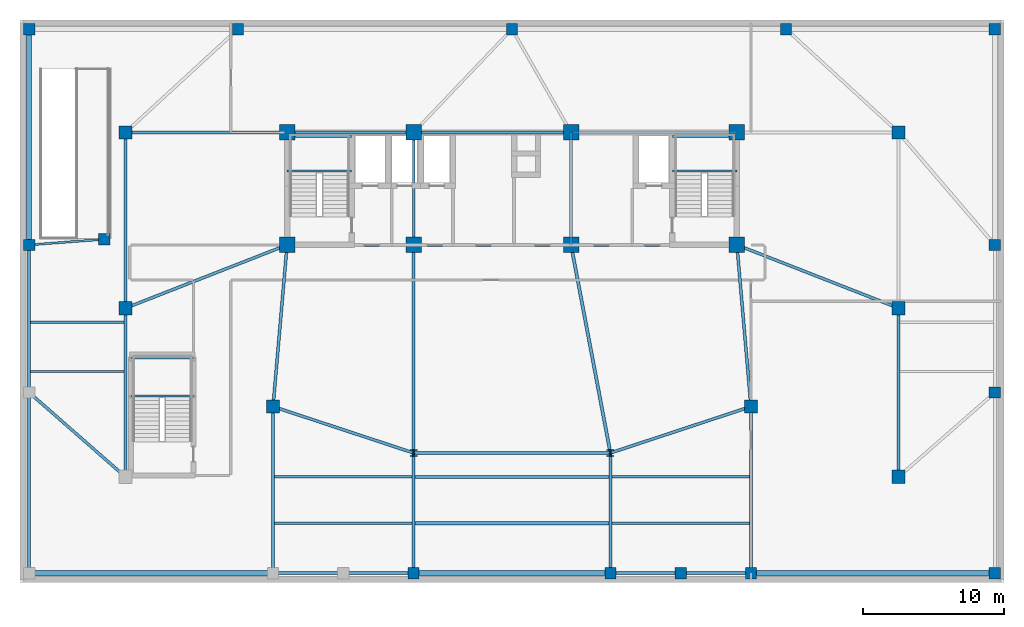
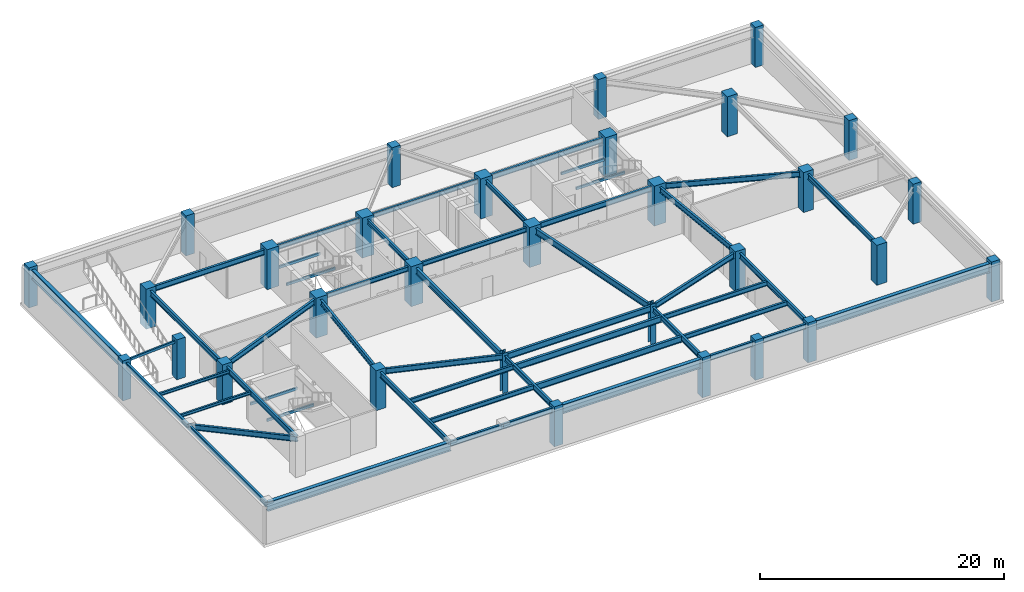
# One storey, part 2 of 8: 51 beams, 31 columns.
"""IFC4 building model written with IfcOpenShell, lengths in metres."""

from ifc_helpers import new_model, si_unit, direction, frame, origin, origin_2d, place, context, subcontext, project, spatial, rectangle, hollow_rectangle, i_section, extrude, source, transform, mapped, material, material_profile, profile_set, type_object, element, save


model = new_model("IFC4")

# Units and contexts
model_context = context("Model", 3, precision=1e-05, world=origin(), true_north=direction((0.0, 1.0)))
body_context = subcontext(model_context, "Body", "Model", "MODEL_VIEW")
ifc_project = project(units=[si_unit("LENGTHUNIT", "METRE"), si_unit("AREAUNIT", "SQUARE_METRE"), si_unit("VOLUMEUNIT", "CUBIC_METRE"), si_unit("PLANEANGLEUNIT", "RADIAN"), si_unit("MASSUNIT", "GRAM", prefix="KILO")], contexts=[model_context])

# Site, building, storey
site_placement = place(None, origin())
site = spatial("IfcSite", under=ifc_project, at=site_placement, CompositionType="ELEMENT")
building_placement = place(site_placement, origin())
building = spatial("IfcBuilding", under=site, at=building_placement, Name="Taldren Reach Tower", CompositionType="ELEMENT")
storey_placement = place(building_placement, frame((0.0, 0.0, -4.0)))
storey = spatial("IfcBuildingStorey", under=building, at=storey_placement, Name="B1", CompositionType="ELEMENT", Elevation=-4.0)

# Columns
ifc_material_1 = material(Name="Concrete S100 (100 MPa)", Category="concrete")
ifc_material_profile_1 = material_profile(ifc_material_1, rectangle(XDim=1.10009765625, YDim=1.10009765625, at=origin_2d()), Name="RC-1100x1100")
ifc_profile_set_1 = profile_set([ifc_material_profile_1], Name="Concrete S100 (100 MPa)")
column_type_1 = type_object("IfcColumnType", Name="COL-RC1100", PredefinedType="COLUMN", material=ifc_profile_set_1)
shared_shape_1 = source(origin(), body_context, "Body", "SweptSolid", [
    extrude(rectangle(XDim=1.10009765625, YDim=1.10009765625, at=origin_2d()), origin(), (0.0, 0.0, 1.0), 4.0),
])
for number, where, z_axis, x_axis, name in (
    (1, (19.0, 24.0, 0.0), (0.0, 0.0, 1.0), (1.0, 0.0, 0.0), "Mega column MC-C1 B1"),
    (2, (28.0, 24.0, 0.0), (0.0, 0.0, 1.0), (1.0, 0.0, 0.0), "Mega column MC-C2 B1"),
    (3, (39.199951171875, 24.0, 0.0), (0.0, 0.0, 1.0), (1.0, 0.0, 0.0), "Mega column MC-C3 B1"),
    (4, (51.0, 24.0, 0.0), (0.0, 0.0, 1.0), (1.0, 0.0, 0.0), "Mega column MC-C4 B1"),
    (5, (19.0, 32.0, 0.0), (0.0, 0.0, 1.0), (1.0, 0.0, 0.0), "Mega column MC-C5 B1"),
    (6, (28.0, 32.0, 0.0), (0.0, 0.0, 1.0), (1.0, 0.0, 0.0), "Mega column MC-C6 B1"),
    (7, (39.199951171875, 32.0, 0.0), (0.0, 0.0, 1.0), (1.0, 0.0, 0.0), "Mega column MC-C7 B1"),
    (8, (51.0, 32.0, 0.0), (0.0, 0.0, 1.0), (1.0, 0.0, 0.0), "Mega column MC-C8 B1"),
):
    element("IfcColumn", number, at=place(storey_placement, frame(where, z_axis=z_axis, x_axis=x_axis)), inside=storey, type_object=column_type_1, Name=name, PredefinedType="COLUMN", context=body_context, shape_type="MappedRepresentation", body=[
        mapped(shared_shape_1, transform((0.0, 0.0, 0.0), scale=1.0)),
    ])
ifc_material_2 = material(Name="Steel Gr 350 (350PLUS)", Category="steel")
ifc_material_profile_2 = material_profile(ifc_material_2, i_section(OverallWidth=0.5, OverallDepth=0.47998046875, WebThickness=0.028076171875, FlangeThickness=0.0439453125, at=origin_2d()), Name="500WC440")
ifc_profile_set_2 = profile_set([ifc_material_profile_2], Name="Steel Gr 350 (350PLUS)")
column_type_2 = type_object("IfcColumnType", Name="COL-WC500A", PredefinedType="COLUMN", material=ifc_profile_set_2)
shared_shape_2 = source(origin(), body_context, "Body", "SweptSolid", [
    extrude(i_section(OverallWidth=0.5, OverallDepth=0.47998046875, WebThickness=0.028076171875, FlangeThickness=0.0439453125, at=origin_2d()), origin(), (0.0, 0.0, 1.0), 4.0),
])
for number, where, z_axis, x_axis, name in (
    (9, (28.0, 9.199951171875, 0.0), (0.0, 0.0, 1.0), (1.0, 0.0, 0.0), "Mega column MC-PJW B1"),
    (10, (42.0, 9.199951171875, 0.0), (0.0, 0.0, 1.0), (1.0, 0.0, 0.0), "Mega column MC-PJE B1"),
):
    element("IfcColumn", number, at=place(storey_placement, frame(where, z_axis=z_axis, x_axis=x_axis)), inside=storey, type_object=column_type_2, Name=name, PredefinedType="COLUMN", context=body_context, shape_type="MappedRepresentation", body=[
        mapped(shared_shape_2, transform((0.0, 0.0, 0.0), scale=1.0)),
    ])
ifc_material_3 = material(Name="Concrete S80 (80 MPa)", Category="concrete")
ifc_material_profile_3 = material_profile(ifc_material_3, rectangle(XDim=0.949951171875, YDim=0.949951171875, at=origin_2d()), Name="RC-950x950")
ifc_profile_set_3 = profile_set([ifc_material_profile_3], Name="Concrete S80 (80 MPa)")
column_type_3 = type_object("IfcColumnType", Name="COL-RC950", PredefinedType="COLUMN", material=ifc_profile_set_3)
shared_shape_3 = source(origin(), body_context, "Body", "SweptSolid", [
    extrude(rectangle(XDim=0.949951171875, YDim=0.949951171875, at=origin_2d()), origin(), (0.0, 0.0, 1.0), 4.0),
])
for number, where, z_axis, x_axis, name in (
    (11, (18.0, 12.5, 0.0), (0.0, 0.0, 1.0), (1.0, 0.0, 0.0), "Mega column MC-SW B1"),
    (12, (52.0, 12.5, 0.0), (0.0, 0.0, 1.0), (1.0, 0.0, 0.0), "Mega column MC-SE B1"),
    (13, (7.5, 19.5, 0.0), (0.0, 0.0, 1.0), (1.0, 0.0, 0.0), "Podium structural column PG-2 B1"),
    (14, (7.5, 32.0, 0.0), (0.0, 0.0, 1.0), (1.0, 0.0, 0.0), "Podium structural column PG-3 B1"),
    (15, (62.5, 7.5, 0.0), (0.0, 0.0, 1.0), (1.0, 0.0, 0.0), "Podium structural column PG-4 B1"),
    (16, (62.5, 19.5, 0.0), (0.0, 0.0, 1.0), (1.0, 0.0, 0.0), "Podium structural column PG-5 B1"),
    (17, (62.5, 32.0, 0.0), (0.0, 0.0, 1.0), (1.0, 0.0, 0.0), "Podium structural column PG-6 B1"),
):
    element("IfcColumn", number, at=place(storey_placement, frame(where, z_axis=z_axis, x_axis=x_axis)), inside=storey, type_object=column_type_3, Name=name, PredefinedType="COLUMN", context=body_context, shape_type="MappedRepresentation", body=[
        mapped(shared_shape_3, transform((0.0, 0.0, 0.0), scale=1.0)),
    ])
ifc_material_4 = material(Name="Concrete S65 (65 MPa)", Category="concrete")
ifc_material_profile_4 = material_profile(ifc_material_4, rectangle(XDim=0.800048828125, YDim=0.800048828125, at=origin_2d()), Name="RC-800x800")
ifc_profile_set_4 = profile_set([ifc_material_profile_4], Name="Concrete S65 (65 MPa)")
column_type_4 = type_object("IfcColumnType", Name="COL-RC800", PredefinedType="COLUMN", material=ifc_profile_set_4)
shared_shape_4 = source(origin(), body_context, "Body", "SweptSolid", [
    extrude(rectangle(XDim=0.800048828125, YDim=0.800048828125, at=origin_2d()), origin(), (0.0, 0.0, 1.0), 4.0),
])
for number, where, z_axis, x_axis, name in (
    (18, (28.0, 0.64990234375, 0.0), (0.0, 0.0, 1.0), (1.0, 0.0, 0.0), "Podium structural column PG-7 B1"),
    (19, (42.0, 0.64990234375, 0.0), (0.0, 0.0, 1.0), (1.0, 0.0, 0.0), "Podium structural column PG-8 B1"),
    (20, (0.64990234375, 24.0, 0.0), (0.0, 0.0, 1.0), (1.0, 0.0, 0.0), "Podium structural column PP-W3 B1"),
    (21, (0.64990234375, 39.35009765625, 0.0), (0.0, 0.0, 1.0), (1.0, 0.0, 0.0), "Podium structural column PP-W4 B1"),
    (22, (69.35009765625, 0.64990234375, 0.0), (0.0, 0.0, 1.0), (1.0, 0.0, 0.0), "Podium structural column PP-E1 B1"),
    (23, (69.35009765625, 13.5, 0.0), (0.0, 0.0, 1.0), (1.0, 0.0, 0.0), "Podium structural column PP-E2 B1"),
    (24, (69.35009765625, 24.0, 0.0), (0.0, 0.0, 1.0), (1.0, 0.0, 0.0), "Podium structural column PP-E3 B1"),
    (25, (69.35009765625, 39.35009765625, 0.0), (0.0, 0.0, 1.0), (1.0, 0.0, 0.0), "Podium structural column PP-E4 B1"),
    (26, (47.0, 0.64990234375, 0.0), (0.0, 0.0, 1.0), (1.0, 0.0, 0.0), "Podium structural column PP-S3 B1"),
    (27, (52.0, 0.64990234375, 0.0), (0.0, 0.0, 1.0), (1.0, 0.0, 0.0), "Podium structural column PP-S4 B1"),
    (28, (15.5, 39.35009765625, 0.0), (0.0, 0.0, 1.0), (1.0, 0.0, 0.0), "Podium structural column PP-N1 B1"),
    (29, (35.0, 39.35009765625, 0.0), (0.0, 0.0, 1.0), (1.0, 0.0, 0.0), "Podium structural column PP-N2 B1"),
    (30, (54.5, 39.35009765625, 0.0), (0.0, 0.0, 1.0), (1.0, 0.0, 0.0), "Podium structural column PP-N3 B1"),
    (31, (6.0, 24.39990234375, 0.0), (0.0, 0.0, 1.0), (1.0, 0.0, 0.0), "Podium structural column PG-RMP B1"),
):
    element("IfcColumn", number, at=place(storey_placement, frame(where, z_axis=z_axis, x_axis=x_axis)), inside=storey, type_object=column_type_4, Name=name, PredefinedType="COLUMN", context=body_context, shape_type="MappedRepresentation", body=[
        mapped(shared_shape_4, transform((0.0, 0.0, 0.0), scale=1.0)),
    ])

# Beams
ifc_material_profile_5 = material_profile(ifc_material_2, i_section(OverallWidth=0.19091796875, OverallDepth=0.4599609375, WebThickness=0.010009765625, FlangeThickness=0.01611328125, at=origin_2d()), Name="460UB82.1")
ifc_profile_set_5 = profile_set([ifc_material_profile_5], Name="Steel Gr 350 (350PLUS)")
beam_type_1 = type_object("IfcBeamType", Name="BM-UB460A", PredefinedType="BEAM", material=ifc_profile_set_5)
shared_shape_5 = source(origin(), body_context, "Body", "SweptSolid", [
    extrude(i_section(OverallWidth=0.19091796875, OverallDepth=0.4599609375, WebThickness=0.010009765625, FlangeThickness=0.01611328125, at=origin_2d()), origin(), (0.0, 0.0, 1.0), 9.0),
])
for number, where, z_axis, x_axis, name in (
    (32, (19.0, 24.0, 3.510009765625), (1.0, 0.0, 0.0), (0.0, 1.0, 0.0), "Core-spine girder B1-SP01"),
    (33, (19.0, 32.0, 3.510009765625), (1.0, 0.0, 0.0), (0.0, 1.0, 0.0), "Core-spine girder B1-SP04"),
):
    element("IfcBeam", number, at=place(storey_placement, frame(where, z_axis=z_axis, x_axis=x_axis)), inside=storey, type_object=beam_type_1, Name=name, PredefinedType="BEAM", context=body_context, shape_type="MappedRepresentation", body=[
        mapped(shared_shape_5, transform((0.0, 0.0, 0.0), scale=1.0)),
    ])
shared_shape_6 = source(origin(), body_context, "Body", "SweptSolid", [
    extrude(i_section(OverallWidth=0.19091796875, OverallDepth=0.4599609375, WebThickness=0.010009765625, FlangeThickness=0.01611328125, at=origin_2d()), origin(), (0.0, 0.0, 1.0), 11.199951171875),
])
for number, where, z_axis, x_axis, name in (
    (34, (28.0, 24.0, 3.510009765625), (1.0, 0.0, 0.0), (0.0, 1.0, 0.0), "Core-spine girder B1-SP02"),
    (35, (28.0, 32.0, 3.510009765625), (1.0, 0.0, 0.0), (0.0, 1.0, 0.0), "Core-spine girder B1-SP05"),
):
    element("IfcBeam", number, at=place(storey_placement, frame(where, z_axis=z_axis, x_axis=x_axis)), inside=storey, type_object=beam_type_1, Name=name, PredefinedType="BEAM", context=body_context, shape_type="MappedRepresentation", body=[
        mapped(shared_shape_6, transform((0.0, 0.0, 0.0), scale=1.0)),
    ])
ifc_material_profile_6 = material_profile(ifc_material_2, i_section(OverallWidth=0.208984375, OverallDepth=0.532958984375, WebThickness=0.01025390625, FlangeThickness=0.015625, at=origin_2d()), Name="530UB92.4")
ifc_profile_set_6 = profile_set([ifc_material_profile_6], Name="Steel Gr 350 (350PLUS)")
beam_type_2 = type_object("IfcBeamType", Name="BM-UB530A", PredefinedType="BEAM", material=ifc_profile_set_6)
shared_shape_7 = source(origin(), body_context, "Body", "SweptSolid", [
    extrude(i_section(OverallWidth=0.208984375, OverallDepth=0.532958984375, WebThickness=0.01025390625, FlangeThickness=0.015625, at=origin_2d()), origin(), (0.0, 0.0, 1.0), 11.800048828125),
])
for number, where, z_axis, x_axis, name in (
    (36, (39.199951171875, 24.0, 3.473388671875), (1.0, 0.0, 0.0), (0.0, 1.0, 0.0), "Core-spine girder B1-SP03"),
    (37, (39.199951171875, 32.0, 3.473388671875), (1.0, 0.0, 0.0), (0.0, 1.0, 0.0), "Core-spine girder B1-SP06"),
):
    element("IfcBeam", number, at=place(storey_placement, frame(where, z_axis=z_axis, x_axis=x_axis)), inside=storey, type_object=beam_type_2, Name=name, PredefinedType="BEAM", context=body_context, shape_type="MappedRepresentation", body=[
        mapped(shared_shape_7, transform((0.0, 0.0, 0.0), scale=1.0)),
    ])
shared_shape_8 = source(origin(), body_context, "Body", "SweptSolid", [
    extrude(i_section(OverallWidth=0.19091796875, OverallDepth=0.4599609375, WebThickness=0.010009765625, FlangeThickness=0.01611328125, at=origin_2d()), origin(), (0.0, 0.0, 1.0), 8.0),
])
for number, where, z_axis, x_axis, name in (
    (38, (28.0, 24.0, 3.510009765625), (0.0, 1.0, 0.0), (-1.0, 0.0, 0.0), "Core-spine girder B1-SP07"),
    (39, (39.199951171875, 24.0, 3.510009765625), (0.0, 1.0, 0.0), (-1.0, 0.0, 0.0), "Core-spine girder B1-SP08"),
):
    element("IfcBeam", number, at=place(storey_placement, frame(where, z_axis=z_axis, x_axis=x_axis)), inside=storey, type_object=beam_type_1, Name=name, PredefinedType="BEAM", context=body_context, shape_type="MappedRepresentation", body=[
        mapped(shared_shape_8, transform((0.0, 0.0, 0.0), scale=1.0)),
    ])
shared_shape_9 = source(origin(), body_context, "Body", "SweptSolid", [
    extrude(i_section(OverallWidth=0.208984375, OverallDepth=0.532958984375, WebThickness=0.01025390625, FlangeThickness=0.015625, at=origin_2d()), origin(), (0.0, 0.0, 1.0), 11.54345703125),
])
for number, where, z_axis, x_axis, name in (
    (40, (19.0, 24.0, 3.473388671875), (-0.086629616365, -0.996240588196, 0.0), (0.996240588196, -0.086629616365, 0.0), "Core-spine girder B1-SP09"),
    (41, (52.0, 12.5, 3.473388671875), (-0.086629616365, 0.996240588196, 0.0), (-0.996240588196, -0.086629616365, 0.0), "Core-spine girder B1-SP13"),
):
    element("IfcBeam", number, at=place(storey_placement, frame(where, z_axis=z_axis, x_axis=x_axis)), inside=storey, type_object=beam_type_2, Name=name, PredefinedType="BEAM", context=body_context, shape_type="MappedRepresentation", body=[
        mapped(shared_shape_9, transform((0.0, 0.0, 0.0), scale=1.0)),
    ])
shared_shape_10 = source(origin(), body_context, "Body", "SweptSolid", [
    extrude(i_section(OverallWidth=0.208984375, OverallDepth=0.532958984375, WebThickness=0.01025390625, FlangeThickness=0.015625, at=origin_2d()), origin(), (0.0, 0.0, 1.0), 10.530517578125),
])
for number, where, z_axis, x_axis, name in (
    (42, (18.0, 12.5, 3.473388671875), (0.949627269203, -0.313381635689, 0.0), (0.313381635689, 0.949627269203, 0.0), "Core-spine girder B1-SP10"),
    (43, (42.0, 9.199951171875, 3.473388671875), (0.949627269203, 0.313381635689, 0.0), (-0.313381635689, 0.949627269203, 0.0), "Core-spine girder B1-SP12"),
):
    element("IfcBeam", number, at=place(storey_placement, frame(where, z_axis=z_axis, x_axis=x_axis)), inside=storey, type_object=beam_type_2, Name=name, PredefinedType="BEAM", context=body_context, shape_type="MappedRepresentation", body=[
        mapped(shared_shape_10, transform((0.0, 0.0, 0.0), scale=1.0)),
    ])
ifc_material_profile_7 = material_profile(ifc_material_2, i_section(OverallWidth=0.22802734375, OverallDepth=0.60205078125, WebThickness=0.010498046875, FlangeThickness=0.014892578125, at=origin_2d()), Name="610UB101")
ifc_profile_set_7 = profile_set([ifc_material_profile_7], Name="Steel Gr 350 (350PLUS)")
beam_type_3 = type_object("IfcBeamType", Name="BM-UB610B", PredefinedType="BEAM", material=ifc_profile_set_7)
shared_shape_11 = source(origin(), body_context, "Body", "SweptSolid", [
    extrude(i_section(OverallWidth=0.22802734375, OverallDepth=0.60205078125, WebThickness=0.010498046875, FlangeThickness=0.014892578125, at=origin_2d()), origin(), (0.0, 0.0, 1.0), 14.0),
])
beam_1_placement = place(storey_placement, frame((28.0, 9.199951171875, 3.43896484375), z_axis=(1.0, 0.0, 0.0), x_axis=(0.0, 1.0, 0.0)))
element("IfcBeam", 44, at=beam_1_placement, inside=storey, type_object=beam_type_3, Name="Core-spine girder B1-SP11", PredefinedType="BEAM", context=body_context, shape_type="MappedRepresentation", body=[
    mapped(shared_shape_11, transform((0.0, 0.0, 0.0), scale=1.0)),
])
shared_shape_12 = source(origin(), body_context, "Body", "SweptSolid", [
    extrude(i_section(OverallWidth=0.22802734375, OverallDepth=0.60205078125, WebThickness=0.010498046875, FlangeThickness=0.014892578125, at=origin_2d()), origin(), (0.0, 0.0, 1.0), 14.800048828125),
])
beam_2_placement = place(storey_placement, frame((28.0, 24.0, 3.43896484375), z_axis=(0.0, -1.0, 0.0), x_axis=(1.0, 0.0, 0.0)))
element("IfcBeam", 45, at=beam_2_placement, inside=storey, type_object=beam_type_3, Name="Core-spine girder B1-SP14", PredefinedType="BEAM", context=body_context, shape_type="MappedRepresentation", body=[
    mapped(shared_shape_12, transform((0.0, 0.0, 0.0), scale=1.0)),
])
shared_shape_13 = source(origin(), body_context, "Body", "SweptSolid", [
    extrude(i_section(OverallWidth=0.22802734375, OverallDepth=0.60205078125, WebThickness=0.010498046875, FlangeThickness=0.014892578125, at=origin_2d()), origin(), (0.0, 0.0, 1.0), 15.0625),
])
beam_3_placement = place(storey_placement, frame((39.199951171875, 24.0, 3.43896484375), z_axis=(0.185894205668, -0.982569765614, 0.0), x_axis=(0.982569765614, 0.185894205668, 0.0)))
element("IfcBeam", 46, at=beam_3_placement, inside=storey, type_object=beam_type_3, Name="Core-spine girder B1-SP15", PredefinedType="BEAM", context=body_context, shape_type="MappedRepresentation", body=[
    mapped(shared_shape_13, transform((0.0, 0.0, 0.0), scale=1.0)),
])
ifc_material_profile_8 = material_profile(ifc_material_2, i_section(OverallWidth=0.35009765625, OverallDepth=0.916015625, WebThickness=0.013916015625, FlangeThickness=0.028076171875, at=origin_2d()), Name="900WB257")
ifc_profile_set_8 = profile_set([ifc_material_profile_8], Name="Steel Gr 350 (350PLUS)")
beam_type_4 = type_object("IfcBeamType", Name="BM-WB900", PredefinedType="BEAM", material=ifc_profile_set_8)
shared_shape_14 = source(origin(), body_context, "Body", "SweptSolid", [
    extrude(i_section(OverallWidth=0.35009765625, OverallDepth=0.916015625, WebThickness=0.013916015625, FlangeThickness=0.028076171875, at=origin_2d()), origin(), (0.0, 0.0, 1.0), 17.35009765625),
])
for number, where, z_axis, x_axis, name in (
    (47, (0.64990234375, 0.64990234375, 3.281982421875), (1.0, 0.0, 0.0), (0.0, 1.0, 0.0), "Podium girder B1-PD01"),
    (48, (52.0, 0.64990234375, 3.281982421875), (1.0, 0.0, 0.0), (0.0, 1.0, 0.0), "Podium girder B1-PD07"),
):
    element("IfcBeam", number, at=place(storey_placement, frame(where, z_axis=z_axis, x_axis=x_axis)), inside=storey, type_object=beam_type_4, Name=name, PredefinedType="BEAM", context=body_context, shape_type="MappedRepresentation", body=[
        mapped(shared_shape_14, transform((0.0, 0.0, 0.0), scale=1.0)),
    ])
ifc_material_profile_9 = material_profile(ifc_material_2, i_section(OverallWidth=0.208984375, OverallDepth=0.528076171875, WebThickness=0.009521484375, FlangeThickness=0.01318359375, at=origin_2d()), Name="530UB82.0")
ifc_profile_set_9 = profile_set([ifc_material_profile_9], Name="Steel Gr 350 (350PLUS)")
beam_type_5 = type_object("IfcBeamType", Name="SP-UB530B", PredefinedType="SPANDREL", material=ifc_profile_set_9)
shared_shape_15 = source(origin(), body_context, "Body", "SweptSolid", [
    extrude(i_section(OverallWidth=0.208984375, OverallDepth=0.528076171875, WebThickness=0.009521484375, FlangeThickness=0.01318359375, at=origin_2d()), origin(), (0.0, 0.0, 1.0), 5.0),
])
for number, where, z_axis, x_axis, name in (
    (49, (18.0, 0.64990234375, 3.47607421875), (1.0, 0.0, 0.0), (0.0, 1.0, 0.0), "Podium beam B1-PD02"),
    (50, (23.0, 0.64990234375, 3.47607421875), (1.0, 0.0, 0.0), (0.0, 1.0, 0.0), "Podium beam B1-PD03"),
    (51, (42.0, 0.64990234375, 3.47607421875), (1.0, 0.0, 0.0), (0.0, 1.0, 0.0), "Podium beam B1-PD05"),
    (52, (47.0, 0.64990234375, 3.47607421875), (1.0, 0.0, 0.0), (0.0, 1.0, 0.0), "Podium beam B1-PD06"),
):
    element("IfcBeam", number, at=place(storey_placement, frame(where, z_axis=z_axis, x_axis=x_axis)), inside=storey, type_object=beam_type_5, Name=name, PredefinedType="SPANDREL", context=body_context, shape_type="MappedRepresentation", body=[
        mapped(shared_shape_15, transform((0.0, 0.0, 0.0), scale=1.0)),
    ])
shared_shape_16 = source(origin(), body_context, "Body", "SweptSolid", [
    extrude(i_section(OverallWidth=0.35009765625, OverallDepth=0.916015625, WebThickness=0.013916015625, FlangeThickness=0.028076171875, at=origin_2d()), origin(), (0.0, 0.0, 1.0), 14.0),
])
beam_4_placement = place(storey_placement, frame((28.0, 0.64990234375, 3.281982421875), z_axis=(1.0, 0.0, 0.0), x_axis=(0.0, 1.0, 0.0)))
element("IfcBeam", 53, at=beam_4_placement, inside=storey, type_object=beam_type_4, Name="Podium girder B1-PD04", PredefinedType="BEAM", context=body_context, shape_type="MappedRepresentation", body=[
    mapped(shared_shape_16, transform((0.0, 0.0, 0.0), scale=1.0)),
])
shared_shape_17 = source(origin(), body_context, "Body", "SweptSolid", [
    extrude(i_section(OverallWidth=0.208984375, OverallDepth=0.528076171875, WebThickness=0.009521484375, FlangeThickness=0.01318359375, at=origin_2d()), origin(), (0.0, 0.0, 1.0), 12.85009765625),
])
beam_5_placement = place(storey_placement, frame((0.64990234375, 0.64990234375, 3.47607421875), z_axis=(0.0, 1.0, 0.0), x_axis=(-1.0, 0.0, 0.0)))
element("IfcBeam", 54, at=beam_5_placement, inside=storey, type_object=beam_type_5, Name="Podium beam B1-PD12", PredefinedType="SPANDREL", context=body_context, shape_type="MappedRepresentation", body=[
    mapped(shared_shape_17, transform((0.0, 0.0, 0.0), scale=1.0)),
])
shared_shape_18 = source(origin(), body_context, "Body", "SweptSolid", [
    extrude(i_section(OverallWidth=0.208984375, OverallDepth=0.528076171875, WebThickness=0.009521484375, FlangeThickness=0.01318359375, at=origin_2d()), origin(), (0.0, 0.0, 1.0), 10.5),
])
beam_6_placement = place(storey_placement, frame((0.64990234375, 13.5, 3.47607421875), z_axis=(0.0, 1.0, 0.0), x_axis=(-1.0, 0.0, 0.0)))
element("IfcBeam", 55, at=beam_6_placement, inside=storey, type_object=beam_type_5, Name="Podium beam B1-PD13", PredefinedType="SPANDREL", context=body_context, shape_type="MappedRepresentation", body=[
    mapped(shared_shape_18, transform((0.0, 0.0, 0.0), scale=1.0)),
])
shared_shape_19 = source(origin(), body_context, "Body", "SweptSolid", [
    extrude(i_section(OverallWidth=0.35009765625, OverallDepth=0.916015625, WebThickness=0.013916015625, FlangeThickness=0.028076171875, at=origin_2d()), origin(), (0.0, 0.0, 1.0), 15.35009765625),
])
beam_7_placement = place(storey_placement, frame((0.64990234375, 24.0, 3.281982421875), z_axis=(0.0, 1.0, 0.0), x_axis=(-1.0, 0.0, 0.0)))
element("IfcBeam", 56, at=beam_7_placement, inside=storey, type_object=beam_type_4, Name="Podium girder B1-PD14", PredefinedType="BEAM", context=body_context, shape_type="MappedRepresentation", body=[
    mapped(shared_shape_19, transform((0.0, 0.0, 0.0), scale=1.0)),
])
shared_shape_20 = source(origin(), body_context, "Body", "SweptSolid", [
    extrude(i_section(OverallWidth=0.208984375, OverallDepth=0.532958984375, WebThickness=0.01025390625, FlangeThickness=0.015625, at=origin_2d()), origin(), (0.0, 0.0, 1.0), 9.106201171875),
])
beam_8_placement = place(storey_placement, frame((0.64990234375, 13.5, 3.473388671875), z_axis=(0.75224111342, -0.658887932262, 0.0), x_axis=(0.658887932262, 0.75224111342, 0.0)))
element("IfcBeam", 57, at=beam_8_placement, inside=storey, type_object=beam_type_2, Name="Podium beam B1-PD18", PredefinedType="BEAM", context=body_context, shape_type="MappedRepresentation", body=[
    mapped(shared_shape_20, transform((0.0, 0.0, 0.0), scale=1.0)),
])
shared_shape_21 = source(origin(), body_context, "Body", "SweptSolid", [
    extrude(i_section(OverallWidth=0.208984375, OverallDepth=0.532958984375, WebThickness=0.01025390625, FlangeThickness=0.015625, at=origin_2d()), origin(), (0.0, 0.0, 1.0), 12.0),
])
for number, where, z_axis, x_axis, name in (
    (58, (7.5, 7.5, 3.473388671875), (0.0, 1.0, 0.0), (-1.0, 0.0, 0.0), "Podium beam B1-PD19"),
    (59, (62.5, 7.5, 3.473388671875), (0.0, 1.0, 0.0), (-1.0, 0.0, 0.0), "Podium beam B1-PD27"),
):
    element("IfcBeam", number, at=place(storey_placement, frame(where, z_axis=z_axis, x_axis=x_axis)), inside=storey, type_object=beam_type_2, Name=name, PredefinedType="BEAM", context=body_context, shape_type="MappedRepresentation", body=[
        mapped(shared_shape_21, transform((0.0, 0.0, 0.0), scale=1.0)),
    ])
shared_shape_22 = source(origin(), body_context, "Body", "SweptSolid", [
    extrude(i_section(OverallWidth=0.208984375, OverallDepth=0.532958984375, WebThickness=0.01025390625, FlangeThickness=0.015625, at=origin_2d()), origin(), (0.0, 0.0, 1.0), 12.5),
])
beam_9_placement = place(storey_placement, frame((7.5, 19.5, 3.473388671875), z_axis=(0.0, 1.0, 0.0), x_axis=(-1.0, 0.0, 0.0)))
element("IfcBeam", 60, at=beam_9_placement, inside=storey, type_object=beam_type_2, Name="Podium beam B1-PD20", PredefinedType="BEAM", context=body_context, shape_type="MappedRepresentation", body=[
    mapped(shared_shape_22, transform((0.0, 0.0, 0.0), scale=1.0)),
])
shared_shape_23 = source(origin(), body_context, "Body", "SweptSolid", [
    extrude(i_section(OverallWidth=0.208984375, OverallDepth=0.532958984375, WebThickness=0.01025390625, FlangeThickness=0.015625, at=origin_2d()), origin(), (0.0, 0.0, 1.0), 11.85009765625),
])
for number, where, z_axis, x_axis, name in (
    (61, (18.0, 0.64990234375, 3.473388671875), (0.0, 1.0, 0.0), (-1.0, 0.0, 0.0), "Podium beam B1-PD22"),
    (62, (52.0, 0.64990234375, 3.473388671875), (0.0, 1.0, 0.0), (-1.0, 0.0, 0.0), "Podium beam B1-PD25"),
):
    element("IfcBeam", number, at=place(storey_placement, frame(where, z_axis=z_axis, x_axis=x_axis)), inside=storey, type_object=beam_type_2, Name=name, PredefinedType="BEAM", context=body_context, shape_type="MappedRepresentation", body=[
        mapped(shared_shape_23, transform((0.0, 0.0, 0.0), scale=1.0)),
    ])
shared_shape_24 = source(origin(), body_context, "Body", "SweptSolid", [
    extrude(i_section(OverallWidth=0.208984375, OverallDepth=0.532958984375, WebThickness=0.01025390625, FlangeThickness=0.015625, at=origin_2d()), origin(), (0.0, 0.0, 1.0), 8.550048828125),
])
for number, where, z_axis, x_axis, name in (
    (63, (28.0, 0.64990234375, 3.473388671875), (0.0, 1.0, 0.0), (-1.0, 0.0, 0.0), "Podium beam B1-PD23"),
    (64, (42.0, 0.64990234375, 3.473388671875), (0.0, 1.0, 0.0), (-1.0, 0.0, 0.0), "Podium beam B1-PD24"),
):
    element("IfcBeam", number, at=place(storey_placement, frame(where, z_axis=z_axis, x_axis=x_axis)), inside=storey, type_object=beam_type_2, Name=name, PredefinedType="BEAM", context=body_context, shape_type="MappedRepresentation", body=[
        mapped(shared_shape_24, transform((0.0, 0.0, 0.0), scale=1.0)),
    ])
shared_shape_25 = source(origin(), body_context, "Body", "SweptSolid", [
    extrude(i_section(OverallWidth=0.208984375, OverallDepth=0.532958984375, WebThickness=0.01025390625, FlangeThickness=0.015625, at=origin_2d()), origin(), (0.0, 0.0, 1.0), 12.34912109375),
])
for number, where, z_axis, x_axis, name in (
    (65, (7.5, 19.5, 3.473388671875), (0.931242779706, 0.364399348581, 0.0), (-0.364399348581, 0.931242779706, 0.0), "Podium beam B1-PD30"),
    (66, (51.0, 24.0, 3.473388671875), (0.931242779706, -0.364399348581, 0.0), (0.364399348581, 0.931242779706, 0.0), "Podium beam B1-PD32"),
):
    element("IfcBeam", number, at=place(storey_placement, frame(where, z_axis=z_axis, x_axis=x_axis)), inside=storey, type_object=beam_type_2, Name=name, PredefinedType="BEAM", context=body_context, shape_type="MappedRepresentation", body=[
        mapped(shared_shape_25, transform((0.0, 0.0, 0.0), scale=1.0)),
    ])
shared_shape_26 = source(origin(), body_context, "Body", "SweptSolid", [
    extrude(i_section(OverallWidth=0.208984375, OverallDepth=0.532958984375, WebThickness=0.01025390625, FlangeThickness=0.015625, at=origin_2d()), origin(), (0.0, 0.0, 1.0), 11.5),
])
beam_10_placement = place(storey_placement, frame((7.5, 32.0, 3.473388671875), z_axis=(1.0, 0.0, 0.0), x_axis=(0.0, 1.0, 0.0)))
element("IfcBeam", 67, at=beam_10_placement, inside=storey, type_object=beam_type_2, Name="Podium beam B1-PD31", PredefinedType="BEAM", context=body_context, shape_type="MappedRepresentation", body=[
    mapped(shared_shape_26, transform((0.0, 0.0, 0.0), scale=1.0)),
])
shared_shape_27 = source(origin(), body_context, "Body", "SweptSolid", [
    extrude(i_section(OverallWidth=0.19091796875, OverallDepth=0.4599609375, WebThickness=0.010009765625, FlangeThickness=0.01611328125, at=origin_2d()), origin(), (0.0, 0.0, 1.0), 9.791015625),
])
for number, where, z_axis, x_axis, name in (
    (68, (18.1044921875, 4.199951171875, 3.510009765625), (1.0, 0.0, 0.0), (0.0, 1.0, 0.0), "Podium composite floor beam B1-1.1"),
    (69, (42.1044921875, 4.199951171875, 3.510009765625), (1.0, 0.0, 0.0), (0.0, 1.0, 0.0), "Podium composite floor beam B1-1.3"),
    (70, (18.1044921875, 7.5, 3.510009765625), (1.0, 0.0, 0.0), (0.0, 1.0, 0.0), "Podium composite floor beam B1-2.1"),
    (71, (42.1044921875, 7.5, 3.510009765625), (1.0, 0.0, 0.0), (0.0, 1.0, 0.0), "Podium composite floor beam B1-2.3"),
):
    element("IfcBeam", number, at=place(storey_placement, frame(where, z_axis=z_axis, x_axis=x_axis)), inside=storey, type_object=beam_type_1, Name=name, PredefinedType="BEAM", context=body_context, shape_type="MappedRepresentation", body=[
        mapped(shared_shape_27, transform((0.0, 0.0, 0.0), scale=1.0)),
    ])
shared_shape_28 = source(origin(), body_context, "Body", "SweptSolid", [
    extrude(i_section(OverallWidth=0.22802734375, OverallDepth=0.60205078125, WebThickness=0.010498046875, FlangeThickness=0.014892578125, at=origin_2d()), origin(), (0.0, 0.0, 1.0), 13.791015625),
])
for number, where, z_axis, x_axis, name in (
    (72, (28.1044921875, 4.199951171875, 3.43896484375), (1.0, 0.0, 0.0), (0.0, 1.0, 0.0), "Podium composite floor beam B1-1.2"),
    (73, (28.1044921875, 7.5, 3.43896484375), (1.0, 0.0, 0.0), (0.0, 1.0, 0.0), "Podium composite floor beam B1-2.2"),
):
    element("IfcBeam", number, at=place(storey_placement, frame(where, z_axis=z_axis, x_axis=x_axis)), inside=storey, type_object=beam_type_3, Name=name, PredefinedType="BEAM", context=body_context, shape_type="MappedRepresentation", body=[
        mapped(shared_shape_28, transform((0.0, 0.0, 0.0), scale=1.0)),
    ])
ifc_material_5 = material(Name="Steel Gr 300 (300PLUS, 300 MPa)", Category="steel")
ifc_material_profile_10 = material_profile(ifc_material_5, i_section(OverallWidth=0.166015625, OverallDepth=0.306884765625, WebThickness=0.006591796875, FlangeThickness=0.01171875, at=origin_2d()), Name="310UB46.2")
ifc_profile_set_10 = profile_set([ifc_material_profile_10], Name="Steel Gr 300 (300PLUS, 300 MPa)")
beam_type_6 = type_object("IfcBeamType", Name="JS-UB310", PredefinedType="JOIST", material=ifc_profile_set_10)
shared_shape_29 = source(origin(), body_context, "Body", "SweptSolid", [
    extrude(i_section(OverallWidth=0.166015625, OverallDepth=0.306884765625, WebThickness=0.006591796875, FlangeThickness=0.01171875, at=origin_2d()), origin(), (0.0, 0.0, 1.0), 6.64111328125),
])
for number, where, z_axis, x_axis, name in (
    (74, (0.75439453125, 15.0, 3.58642578125), (1.0, 0.0, 0.0), (0.0, 1.0, 0.0), "Podium wing floor joist B1-3.1"),
    (75, (0.75439453125, 18.5, 3.58642578125), (1.0, 0.0, 0.0), (0.0, 1.0, 0.0), "Podium wing floor joist B1-4.1"),
):
    element("IfcBeam", number, at=place(storey_placement, frame(where, z_axis=z_axis, x_axis=x_axis)), inside=storey, type_object=beam_type_6, Name=name, PredefinedType="JOIST", context=body_context, shape_type="MappedRepresentation", body=[
        mapped(shared_shape_29, transform((0.0, 0.0, 0.0), scale=1.0)),
    ])
ifc_material_6 = material(Name="Steel Gr 350 (C350L0)", Category="steel")
ifc_material_profile_11 = material_profile(ifc_material_6, hollow_rectangle(XDim=0.14990234375, YDim=0.25, WallThickness=0.009033203125, at=origin_2d()), Name="250x150x9.0RHS")
ifc_profile_set_11 = profile_set([ifc_material_profile_11], Name="Steel Gr 350 (C350L0)")
beam_type_7 = type_object("IfcBeamType", Name="LN-RHS250", PredefinedType="LINTEL", material=ifc_profile_set_11)
shared_shape_30 = source(origin(), body_context, "Body", "SweptSolid", [
    extrude(hollow_rectangle(XDim=0.14990234375, YDim=0.25, WallThickness=0.009033203125, at=origin_2d()), origin(), (0.0, 0.0, 1.0), 5.364990234375),
])
beam_11_placement = place(storey_placement, frame((0.64990234375, 24.0, 3.614990234375), z_axis=(0.997218114176, 0.074538800357, 0.0), x_axis=(-0.074538800357, 0.997218114176, 0.0)))
element("IfcBeam", 76, at=beam_11_placement, inside=storey, type_object=beam_type_7, Name="Vehicle ramp portal lintel B1", PredefinedType="LINTEL", context=body_context, shape_type="MappedRepresentation", body=[
    mapped(shared_shape_30, transform((0.0, 0.0, 0.0), scale=1.0)),
])
shared_shape_31 = source(origin(), body_context, "Body", "SweptSolid", [
    extrude(hollow_rectangle(XDim=0.14990234375, YDim=0.25, WallThickness=0.009033203125, at=origin_2d()), origin(), (0.0, 0.0, 1.0), 4.60009765625),
])
for number, where, z_axis, x_axis, name in (
    (77, (19.0, 29.2548828125, 1.695068359375), (1.0, 0.0, 0.0), (0.0, 1.0, 0.0), "Stair half-landing support beam ST1-B1-1"),
    (78, (19.0, 31.699951171875, 1.695068359375), (1.0, 0.0, 0.0), (0.0, 1.0, 0.0), "Stair half-landing support beam ST1-B1-2"),
    (79, (46.39990234375, 29.2548828125, 1.695068359375), (1.0, 0.0, 0.0), (0.0, 1.0, 0.0), "Stair half-landing support beam ST2-B1-1"),
    (80, (46.39990234375, 31.699951171875, 1.695068359375), (1.0, 0.0, 0.0), (0.0, 1.0, 0.0), "Stair half-landing support beam ST2-B1-2"),
):
    element("IfcBeam", number, at=place(storey_placement, frame(where, z_axis=z_axis, x_axis=x_axis)), inside=storey, type_object=beam_type_7, Name=name, PredefinedType="LINTEL", context=body_context, shape_type="MappedRepresentation", body=[
        mapped(shared_shape_31, transform((0.0, 0.0, 0.0), scale=1.0)),
    ])
shared_shape_32 = source(origin(), body_context, "Body", "SweptSolid", [
    extrude(hollow_rectangle(XDim=0.14990234375, YDim=0.25, WallThickness=0.009033203125, at=origin_2d()), origin(), (0.0, 0.0, 1.0), 4.440185546875),
])
for number, where, z_axis, x_axis, name in (
    (81, (7.89990234375, 13.2548828125, 1.695068359375), (1.0, 0.0, 0.0), (0.0, 1.0, 0.0), "Stair half-landing support beam ST3-B1-1"),
    (82, (7.89990234375, 15.9599609375, 1.695068359375), (1.0, 0.0, 0.0), (0.0, 1.0, 0.0), "Stair half-landing support beam ST3-B1-2"),
):
    element("IfcBeam", number, at=place(storey_placement, frame(where, z_axis=z_axis, x_axis=x_axis)), inside=storey, type_object=beam_type_7, Name=name, PredefinedType="LINTEL", context=body_context, shape_type="MappedRepresentation", body=[
        mapped(shared_shape_32, transform((0.0, 0.0, 0.0), scale=1.0)),
    ])

save(model, "model.ifc")
